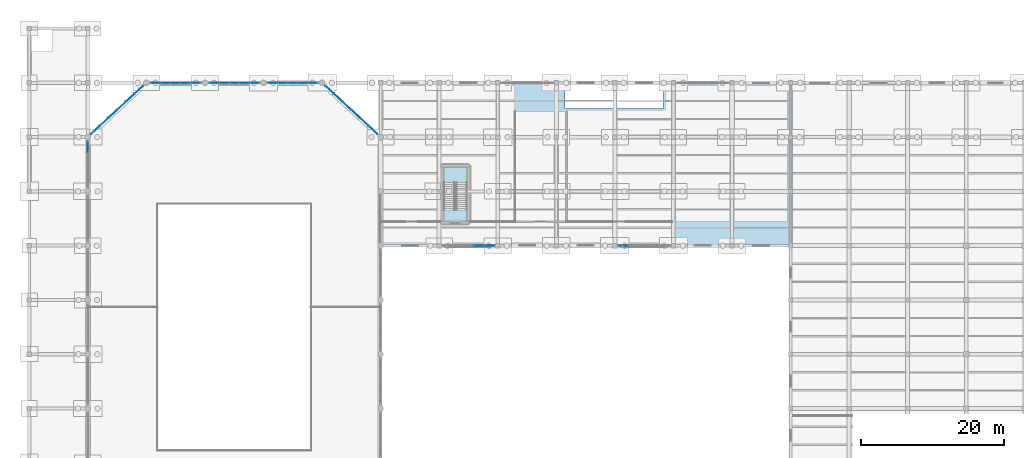
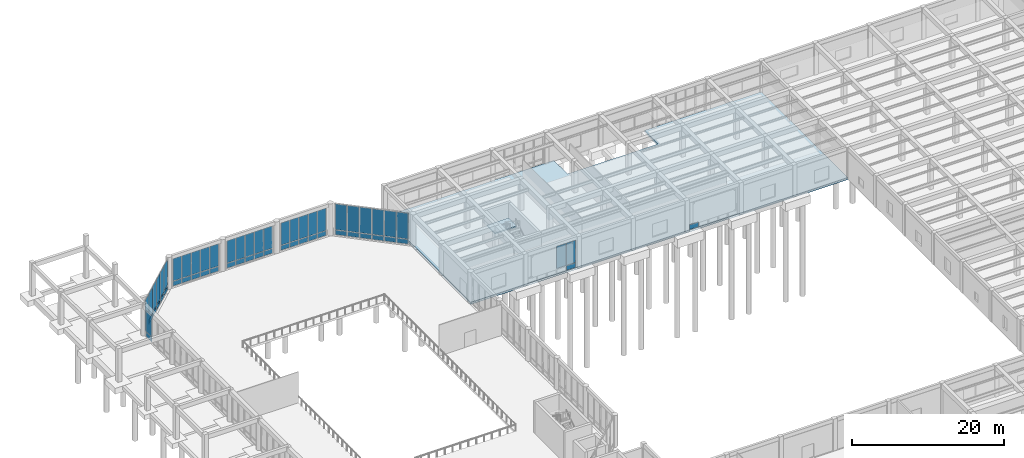
# One storey, part 39 of 64: 60 plates, 2 slabs, 9 elements without a shape of their own.
"""IFC4 building model written with IfcOpenShell, lengths in metres."""

from ifc_helpers import new_model, si_unit, direction, frame, origin, origin_2d, place, context, subcontext, project, spatial, polyline, rectangle, outline, extrude, material, layer, layer_set, type_object, element, aggregate, save


model = new_model("IFC4")

# Units and contexts
model_context = context("Model", 3, precision=1e-05, world=origin(), true_north=direction((0.0, 1.0)))
body_context = subcontext(model_context, "Body", "Model", "MODEL_VIEW")
ifc_project = project(units=[si_unit("LENGTHUNIT", "METRE"), si_unit("AREAUNIT", "SQUARE_METRE"), si_unit("VOLUMEUNIT", "CUBIC_METRE"), si_unit("PLANEANGLEUNIT", "RADIAN"), si_unit("MASSUNIT", "GRAM", prefix="KILO")], contexts=[model_context])

# Site, building, storey
site_placement = place(None, origin())
site = spatial("IfcSite", under=ifc_project, at=site_placement, CompositionType="ELEMENT")
building_placement = place(site_placement, origin())
building = spatial("IfcBuilding", under=site, at=building_placement, Name="Qandaris Square Conservatory and Botanical Centre", CompositionType="ELEMENT")
storey_placement = place(building_placement, origin())
storey = spatial("IfcBuildingStorey", under=building, at=storey_placement, Name="L00", CompositionType="ELEMENT", Elevation=0.0)

# Curtain wall, plates
ifc_material_1 = material(Name="Anodised Aluminium", Category="aluminium")
curtain_wall_type_1 = type_object("IfcCurtainWallType", Name="Unitised Curtain Wall CW-1-1002x510", PredefinedType="USERDEFINED", material=ifc_material_1)
curtain_wall_1_placement = place(storey_placement, origin())
curtain_wall_1 = element("IfcCurtainWall", 1, at=curtain_wall_1_placement, inside=storey, type_object=curtain_wall_type_1, Name="Curtain Wall CW-CON-L00-4-1", ObjectType="GLAZED CURTAIN WALL", PredefinedType="USERDEFINED")
ifc_material_2 = material(Name="Tempered Low-E Glass", Category="glass")
ifc_layer_1 = layer(ifc_material_2, 0.0400390625)
ifc_layer_set_1 = layer_set([ifc_layer_1], Name="Tempered Low-E Glass")
plate_type_1 = type_object("IfcPlateType", Name="Conservatory Laminated Low-Iron Biome Glass 40mm", PredefinedType="CURTAIN_PANEL", material=ifc_layer_set_1)
plate_1_placement = place(storey_placement, frame((56.1484375, 108.774658203125, 0.0751953125), z_axis=(0.0, 0.0, 1.0), x_axis=(-0.733432966404, 0.679761784592, 0.0)))
plate_1 = element("IfcPlate", 2, at=plate_1_placement, type_object=plate_type_1, Name="CW-1-1002x510 panel 1.1", PredefinedType="CURTAIN_PANEL", context=body_context, shape_type="SweptSolid", body=[
    extrude(rectangle(XDim=1.5576171875, YDim=0.0400390625, at=origin_2d()), origin(), (0.0, 0.0, 1.0), 0.737548828125),
])
plate_2_placement = place(storey_placement, frame((56.1484375, 108.774658203125, 0.8876953125), z_axis=(0.0, 0.0, 1.0), x_axis=(-0.733432966404, 0.679761784592, 0.0)))
plate_2 = element("IfcPlate", 3, at=plate_2_placement, type_object=plate_type_1, Name="CW-1-1002x510 panel 1.2", PredefinedType="CURTAIN_PANEL", context=body_context, shape_type="SweptSolid", body=[
    extrude(rectangle(XDim=1.5576171875, YDim=0.0400390625, at=origin_2d()), origin(), (0.0, 0.0, 1.0), 4.137451171875),
])
plate_3_placement = place(storey_placement, frame((54.937255859375, 109.897216796875, 0.0751953125), z_axis=(0.0, 0.0, 1.0), x_axis=(-0.733432966404, 0.679761784592, 0.0)))
plate_3 = element("IfcPlate", 4, at=plate_3_placement, type_object=plate_type_1, Name="CW-1-1002x510 panel 2.1", PredefinedType="CURTAIN_PANEL", context=body_context, shape_type="SweptSolid", body=[
    extrude(rectangle(XDim=1.594970703125, YDim=0.0400390625, at=origin_2d()), origin(), (0.0, 0.0, 1.0), 0.737548828125),
])
plate_4_placement = place(storey_placement, frame((54.937255859375, 109.897216796875, 0.8876953125), z_axis=(0.0, 0.0, 1.0), x_axis=(-0.733432966404, 0.679761784592, 0.0)))
plate_4 = element("IfcPlate", 5, at=plate_4_placement, type_object=plate_type_1, Name="CW-1-1002x510 panel 2.2", PredefinedType="CURTAIN_PANEL", context=body_context, shape_type="SweptSolid", body=[
    extrude(rectangle(XDim=1.594970703125, YDim=0.0400390625, at=origin_2d()), origin(), (0.0, 0.0, 1.0), 4.137451171875),
])
plate_5_placement = place(storey_placement, frame((53.71240234375, 111.032470703125, 0.0751953125), z_axis=(0.0, 0.0, 1.0), x_axis=(-0.733432966404, 0.679761784592, 0.0)))
plate_5 = element("IfcPlate", 6, at=plate_5_placement, type_object=plate_type_1, Name="CW-1-1002x510 panel 3.1", PredefinedType="CURTAIN_PANEL", context=body_context, shape_type="SweptSolid", body=[
    extrude(rectangle(XDim=1.594970703125, YDim=0.0400390625, at=origin_2d()), origin(), (0.0, 0.0, 1.0), 0.737548828125),
])
plate_6_placement = place(storey_placement, frame((53.71240234375, 111.032470703125, 0.8876953125), z_axis=(0.0, 0.0, 1.0), x_axis=(-0.733432966404, 0.679761784592, 0.0)))
plate_6 = element("IfcPlate", 7, at=plate_6_placement, type_object=plate_type_1, Name="CW-1-1002x510 panel 3.2", PredefinedType="CURTAIN_PANEL", context=body_context, shape_type="SweptSolid", body=[
    extrude(rectangle(XDim=1.594970703125, YDim=0.0400390625, at=origin_2d()), origin(), (0.0, 0.0, 1.0), 4.137451171875),
])
plate_7_placement = place(storey_placement, frame((52.487548828125, 112.167724609375, 0.0751953125), z_axis=(0.0, 0.0, 1.0), x_axis=(-0.733432966404, 0.679761784592, 0.0)))
plate_7 = element("IfcPlate", 8, at=plate_7_placement, type_object=plate_type_1, Name="CW-1-1002x510 panel 4.1", PredefinedType="CURTAIN_PANEL", context=body_context, shape_type="SweptSolid", body=[
    extrude(rectangle(XDim=1.594970703125, YDim=0.0400390625, at=origin_2d()), origin(), (0.0, 0.0, 1.0), 0.737548828125),
])
plate_8_placement = place(storey_placement, frame((52.487548828125, 112.167724609375, 0.8876953125), z_axis=(0.0, 0.0, 1.0), x_axis=(-0.733432966404, 0.679761784592, 0.0)))
plate_8 = element("IfcPlate", 9, at=plate_8_placement, type_object=plate_type_1, Name="CW-1-1002x510 panel 4.2", PredefinedType="CURTAIN_PANEL", context=body_context, shape_type="SweptSolid", body=[
    extrude(rectangle(XDim=1.594970703125, YDim=0.0400390625, at=origin_2d()), origin(), (0.0, 0.0, 1.0), 4.137451171875),
])
plate_9_placement = place(storey_placement, frame((51.2626953125, 113.302734375, 0.0751953125), z_axis=(0.0, 0.0, 1.0), x_axis=(-0.733432966404, 0.679761784592, 0.0)))
plate_9 = element("IfcPlate", 10, at=plate_9_placement, type_object=plate_type_1, Name="CW-1-1002x510 panel 5.1", PredefinedType="CURTAIN_PANEL", context=body_context, shape_type="SweptSolid", body=[
    extrude(rectangle(XDim=1.594970703125, YDim=0.0400390625, at=origin_2d()), origin(), (0.0, 0.0, 1.0), 0.737548828125),
])
plate_10_placement = place(storey_placement, frame((51.2626953125, 113.302734375, 0.8876953125), z_axis=(0.0, 0.0, 1.0), x_axis=(-0.733432966404, 0.679761784592, 0.0)))
plate_10 = element("IfcPlate", 11, at=plate_10_placement, type_object=plate_type_1, Name="CW-1-1002x510 panel 5.2", PredefinedType="CURTAIN_PANEL", context=body_context, shape_type="SweptSolid", body=[
    extrude(rectangle(XDim=1.594970703125, YDim=0.0400390625, at=origin_2d()), origin(), (0.0, 0.0, 1.0), 4.137451171875),
])
plate_11_placement = place(storey_placement, frame((50.051513671875, 114.42529296875, 0.0751953125), z_axis=(0.0, 0.0, 1.0), x_axis=(-0.733432966404, 0.679761784592, 0.0)))
plate_11 = element("IfcPlate", 12, at=plate_11_placement, type_object=plate_type_1, Name="CW-1-1002x510 panel 6.1", PredefinedType="CURTAIN_PANEL", context=body_context, shape_type="SweptSolid", body=[
    extrude(rectangle(XDim=1.5576171875, YDim=0.0400390625, at=origin_2d()), origin(), (0.0, 0.0, 1.0), 0.737548828125),
])
plate_12_placement = place(storey_placement, frame((50.051513671875, 114.42529296875, 0.8876953125), z_axis=(0.0, 0.0, 1.0), x_axis=(-0.733432966404, 0.679761784592, 0.0)))
plate_12 = element("IfcPlate", 13, at=plate_12_placement, type_object=plate_type_1, Name="CW-1-1002x510 panel 6.2", PredefinedType="CURTAIN_PANEL", context=body_context, shape_type="SweptSolid", body=[
    extrude(rectangle(XDim=1.5576171875, YDim=0.0400390625, at=origin_2d()), origin(), (0.0, 0.0, 1.0), 4.137451171875),
])
aggregate(curtain_wall_1, [plate_1, plate_2, plate_3, plate_4, plate_5, plate_6, plate_7, plate_8, plate_9, plate_10, plate_11, plate_12])

curtain_wall_type_2 = type_object("IfcCurtainWallType", Name="Unitised Curtain Wall CW-1-704x454", PredefinedType="USERDEFINED", material=ifc_material_1)
curtain_wall_2_placement = place(storey_placement, origin())
curtain_wall_2 = element("IfcCurtainWall", 14, at=curtain_wall_2_placement, inside=storey, type_object=curtain_wall_type_2, Name="Curtain Wall CW-CON-L00-5-1", ObjectType="GLAZED CURTAIN WALL", PredefinedType="USERDEFINED")
plate_13_placement = place(storey_placement, frame((47.697265625, 115.39990234375, 0.0751953125), z_axis=(0.0, 0.0, 1.0), x_axis=(-1.0, 0.0, 0.0)))
plate_13 = element("IfcPlate", 15, at=plate_13_placement, type_object=plate_type_1, Name="CW-1-704x454 panel 1.1", PredefinedType="CURTAIN_PANEL", context=body_context, shape_type="SweptSolid", body=[
    extrude(rectangle(XDim=1.29541015625, YDim=0.0400390625, at=origin_2d()), origin(), (0.0, 0.0, 1.0), 0.737548828125),
])
plate_14_placement = place(storey_placement, frame((47.697265625, 115.39990234375, 0.887451171875), z_axis=(0.0, 0.0, 1.0), x_axis=(-1.0, 0.0, 0.0)))
plate_14 = element("IfcPlate", 16, at=plate_14_placement, type_object=plate_type_1, Name="CW-1-704x454 panel 1.2", PredefinedType="CURTAIN_PANEL", context=body_context, shape_type="SweptSolid", body=[
    extrude(rectangle(XDim=1.29541015625, YDim=0.0400390625, at=origin_2d()), origin(), (0.0, 0.0, 1.0), 3.58251953125),
])
plate_15_placement = place(storey_placement, frame((46.30810546875, 115.39990234375, 0.0751953125), z_axis=(0.0, 0.0, 1.0), x_axis=(-1.0, 0.0, 0.0)))
plate_15 = element("IfcPlate", 17, at=plate_15_placement, type_object=plate_type_1, Name="CW-1-704x454 panel 2.1", PredefinedType="CURTAIN_PANEL", context=body_context, shape_type="SweptSolid", body=[
    extrude(rectangle(XDim=1.3330078125, YDim=0.0400390625, at=origin_2d()), origin(), (0.0, 0.0, 1.0), 0.737548828125),
])
plate_16_placement = place(storey_placement, frame((46.30810546875, 115.39990234375, 0.887451171875), z_axis=(0.0, 0.0, 1.0), x_axis=(-1.0, 0.0, 0.0)))
plate_16 = element("IfcPlate", 18, at=plate_16_placement, type_object=plate_type_1, Name="CW-1-704x454 panel 2.2", PredefinedType="CURTAIN_PANEL", context=body_context, shape_type="SweptSolid", body=[
    extrude(rectangle(XDim=1.3330078125, YDim=0.0400390625, at=origin_2d()), origin(), (0.0, 0.0, 1.0), 3.58251953125),
])
plate_17_placement = place(storey_placement, frame((44.89990234375, 115.39990234375, 0.0751953125), z_axis=(0.0, 0.0, 1.0), x_axis=(-1.0, 0.0, 0.0)))
plate_17 = element("IfcPlate", 19, at=plate_17_placement, type_object=plate_type_1, Name="CW-1-704x454 panel 3.1", PredefinedType="CURTAIN_PANEL", context=body_context, shape_type="SweptSolid", body=[
    extrude(rectangle(XDim=1.3330078125, YDim=0.0400390625, at=origin_2d()), origin(), (0.0, 0.0, 1.0), 0.737548828125),
])
plate_18_placement = place(storey_placement, frame((44.89990234375, 115.39990234375, 0.887451171875), z_axis=(0.0, 0.0, 1.0), x_axis=(-1.0, 0.0, 0.0)))
plate_18 = element("IfcPlate", 20, at=plate_18_placement, type_object=plate_type_1, Name="CW-1-704x454 panel 3.2", PredefinedType="CURTAIN_PANEL", context=body_context, shape_type="SweptSolid", body=[
    extrude(rectangle(XDim=1.3330078125, YDim=0.0400390625, at=origin_2d()), origin(), (0.0, 0.0, 1.0), 3.58251953125),
])
plate_19_placement = place(storey_placement, frame((43.491943359375, 115.39990234375, 0.0751953125), z_axis=(0.0, 0.0, 1.0), x_axis=(-1.0, 0.0, 0.0)))
plate_19 = element("IfcPlate", 21, at=plate_19_placement, type_object=plate_type_1, Name="CW-1-704x454 panel 4.1", PredefinedType="CURTAIN_PANEL", context=body_context, shape_type="SweptSolid", body=[
    extrude(rectangle(XDim=1.3330078125, YDim=0.0400390625, at=origin_2d()), origin(), (0.0, 0.0, 1.0), 0.737548828125),
])
plate_20_placement = place(storey_placement, frame((43.491943359375, 115.39990234375, 0.887451171875), z_axis=(0.0, 0.0, 1.0), x_axis=(-1.0, 0.0, 0.0)))
plate_20 = element("IfcPlate", 22, at=plate_20_placement, type_object=plate_type_1, Name="CW-1-704x454 panel 4.2", PredefinedType="CURTAIN_PANEL", context=body_context, shape_type="SweptSolid", body=[
    extrude(rectangle(XDim=1.3330078125, YDim=0.0400390625, at=origin_2d()), origin(), (0.0, 0.0, 1.0), 3.58251953125),
])
plate_21_placement = place(storey_placement, frame((42.102783203125, 115.39990234375, 0.0751953125), z_axis=(0.0, 0.0, 1.0), x_axis=(-1.0, 0.0, 0.0)))
plate_21 = element("IfcPlate", 23, at=plate_21_placement, type_object=plate_type_1, Name="CW-1-704x454 panel 5.1", PredefinedType="CURTAIN_PANEL", context=body_context, shape_type="SweptSolid", body=[
    extrude(rectangle(XDim=1.29541015625, YDim=0.0400390625, at=origin_2d()), origin(), (0.0, 0.0, 1.0), 0.737548828125),
])
plate_22_placement = place(storey_placement, frame((42.102783203125, 115.39990234375, 0.887451171875), z_axis=(0.0, 0.0, 1.0), x_axis=(-1.0, 0.0, 0.0)))
plate_22 = element("IfcPlate", 24, at=plate_22_placement, type_object=plate_type_1, Name="CW-1-704x454 panel 5.2", PredefinedType="CURTAIN_PANEL", context=body_context, shape_type="SweptSolid", body=[
    extrude(rectangle(XDim=1.29541015625, YDim=0.0400390625, at=origin_2d()), origin(), (0.0, 0.0, 1.0), 3.58251953125),
])
aggregate(curtain_wall_2, [plate_13, plate_14, plate_15, plate_16, plate_17, plate_18, plate_19, plate_20, plate_21, plate_22])

curtain_wall_3_placement = place(storey_placement, origin())
curtain_wall_3 = element("IfcCurtainWall", 25, at=curtain_wall_3_placement, inside=storey, type_object=curtain_wall_type_2, Name="Curtain Wall CW-CON-L00-5-2", ObjectType="GLAZED CURTAIN WALL", PredefinedType="USERDEFINED")
plate_23_placement = place(storey_placement, frame((39.497314453125, 115.39990234375, 0.0751953125), z_axis=(0.0, 0.0, 1.0), x_axis=(-1.0, 0.0, 0.0)))
plate_23 = element("IfcPlate", 26, at=plate_23_placement, type_object=plate_type_1, Name="CW-1-704x454 panel 1.1", PredefinedType="CURTAIN_PANEL", context=body_context, shape_type="SweptSolid", body=[
    extrude(rectangle(XDim=1.29541015625, YDim=0.0400390625, at=origin_2d()), origin(), (0.0, 0.0, 1.0), 0.737548828125),
])
plate_24_placement = place(storey_placement, frame((39.497314453125, 115.39990234375, 0.887451171875), z_axis=(0.0, 0.0, 1.0), x_axis=(-1.0, 0.0, 0.0)))
plate_24 = element("IfcPlate", 27, at=plate_24_placement, type_object=plate_type_1, Name="CW-1-704x454 panel 1.2", PredefinedType="CURTAIN_PANEL", context=body_context, shape_type="SweptSolid", body=[
    extrude(rectangle(XDim=1.29541015625, YDim=0.0400390625, at=origin_2d()), origin(), (0.0, 0.0, 1.0), 3.58251953125),
])
plate_25_placement = place(storey_placement, frame((38.10791015625, 115.39990234375, 0.0751953125), z_axis=(0.0, 0.0, 1.0), x_axis=(-1.0, 0.0, 0.0)))
plate_25 = element("IfcPlate", 28, at=plate_25_placement, type_object=plate_type_1, Name="CW-1-704x454 panel 2.1", PredefinedType="CURTAIN_PANEL", context=body_context, shape_type="SweptSolid", body=[
    extrude(rectangle(XDim=1.3330078125, YDim=0.0400390625, at=origin_2d()), origin(), (0.0, 0.0, 1.0), 0.737548828125),
])
plate_26_placement = place(storey_placement, frame((38.10791015625, 115.39990234375, 0.887451171875), z_axis=(0.0, 0.0, 1.0), x_axis=(-1.0, 0.0, 0.0)))
plate_26 = element("IfcPlate", 29, at=plate_26_placement, type_object=plate_type_1, Name="CW-1-704x454 panel 2.2", PredefinedType="CURTAIN_PANEL", context=body_context, shape_type="SweptSolid", body=[
    extrude(rectangle(XDim=1.3330078125, YDim=0.0400390625, at=origin_2d()), origin(), (0.0, 0.0, 1.0), 3.58251953125),
])
plate_27_placement = place(storey_placement, frame((36.699951171875, 115.39990234375, 0.0751953125), z_axis=(0.0, 0.0, 1.0), x_axis=(-1.0, 0.0, 0.0)))
plate_27 = element("IfcPlate", 30, at=plate_27_placement, type_object=plate_type_1, Name="CW-1-704x454 panel 3.1", PredefinedType="CURTAIN_PANEL", context=body_context, shape_type="SweptSolid", body=[
    extrude(rectangle(XDim=1.3330078125, YDim=0.0400390625, at=origin_2d()), origin(), (0.0, 0.0, 1.0), 0.737548828125),
])
plate_28_placement = place(storey_placement, frame((36.699951171875, 115.39990234375, 0.887451171875), z_axis=(0.0, 0.0, 1.0), x_axis=(-1.0, 0.0, 0.0)))
plate_28 = element("IfcPlate", 31, at=plate_28_placement, type_object=plate_type_1, Name="CW-1-704x454 panel 3.2", PredefinedType="CURTAIN_PANEL", context=body_context, shape_type="SweptSolid", body=[
    extrude(rectangle(XDim=1.3330078125, YDim=0.0400390625, at=origin_2d()), origin(), (0.0, 0.0, 1.0), 3.58251953125),
])
plate_29_placement = place(storey_placement, frame((35.2919921875, 115.39990234375, 0.0751953125), z_axis=(0.0, 0.0, 1.0), x_axis=(-1.0, 0.0, 0.0)))
plate_29 = element("IfcPlate", 32, at=plate_29_placement, type_object=plate_type_1, Name="CW-1-704x454 panel 4.1", PredefinedType="CURTAIN_PANEL", context=body_context, shape_type="SweptSolid", body=[
    extrude(rectangle(XDim=1.3330078125, YDim=0.0400390625, at=origin_2d()), origin(), (0.0, 0.0, 1.0), 0.737548828125),
])
plate_30_placement = place(storey_placement, frame((35.2919921875, 115.39990234375, 0.887451171875), z_axis=(0.0, 0.0, 1.0), x_axis=(-1.0, 0.0, 0.0)))
plate_30 = element("IfcPlate", 33, at=plate_30_placement, type_object=plate_type_1, Name="CW-1-704x454 panel 4.2", PredefinedType="CURTAIN_PANEL", context=body_context, shape_type="SweptSolid", body=[
    extrude(rectangle(XDim=1.3330078125, YDim=0.0400390625, at=origin_2d()), origin(), (0.0, 0.0, 1.0), 3.58251953125),
])
plate_31_placement = place(storey_placement, frame((33.90283203125, 115.39990234375, 0.0751953125), z_axis=(0.0, 0.0, 1.0), x_axis=(-1.0, 0.0, 0.0)))
plate_31 = element("IfcPlate", 34, at=plate_31_placement, type_object=plate_type_1, Name="CW-1-704x454 panel 5.1", PredefinedType="CURTAIN_PANEL", context=body_context, shape_type="SweptSolid", body=[
    extrude(rectangle(XDim=1.29541015625, YDim=0.0400390625, at=origin_2d()), origin(), (0.0, 0.0, 1.0), 0.737548828125),
])
plate_32_placement = place(storey_placement, frame((33.90283203125, 115.39990234375, 0.887451171875), z_axis=(0.0, 0.0, 1.0), x_axis=(-1.0, 0.0, 0.0)))
plate_32 = element("IfcPlate", 35, at=plate_32_placement, type_object=plate_type_1, Name="CW-1-704x454 panel 5.2", PredefinedType="CURTAIN_PANEL", context=body_context, shape_type="SweptSolid", body=[
    extrude(rectangle(XDim=1.29541015625, YDim=0.0400390625, at=origin_2d()), origin(), (0.0, 0.0, 1.0), 3.58251953125),
])
aggregate(curtain_wall_3, [plate_23, plate_24, plate_25, plate_26, plate_27, plate_28, plate_29, plate_30, plate_31, plate_32])

curtain_wall_4_placement = place(storey_placement, origin())
curtain_wall_4 = element("IfcCurtainWall", 36, at=curtain_wall_4_placement, inside=storey, type_object=curtain_wall_type_2, Name="Curtain Wall CW-CON-L00-5-3", ObjectType="GLAZED CURTAIN WALL", PredefinedType="USERDEFINED")
plate_33_placement = place(storey_placement, frame((31.29736328125, 115.39990234375, 0.0751953125), z_axis=(0.0, 0.0, 1.0), x_axis=(-1.0, 0.0, 0.0)))
plate_33 = element("IfcPlate", 37, at=plate_33_placement, type_object=plate_type_1, Name="CW-1-704x454 panel 1.1", PredefinedType="CURTAIN_PANEL", context=body_context, shape_type="SweptSolid", body=[
    extrude(rectangle(XDim=1.29541015625, YDim=0.0400390625, at=origin_2d()), origin(), (0.0, 0.0, 1.0), 0.737548828125),
])
plate_34_placement = place(storey_placement, frame((31.29736328125, 115.39990234375, 0.887451171875), z_axis=(0.0, 0.0, 1.0), x_axis=(-1.0, 0.0, 0.0)))
plate_34 = element("IfcPlate", 38, at=plate_34_placement, type_object=plate_type_1, Name="CW-1-704x454 panel 1.2", PredefinedType="CURTAIN_PANEL", context=body_context, shape_type="SweptSolid", body=[
    extrude(rectangle(XDim=1.29541015625, YDim=0.0400390625, at=origin_2d()), origin(), (0.0, 0.0, 1.0), 3.58251953125),
])
plate_35_placement = place(storey_placement, frame((29.907958984375, 115.39990234375, 0.0751953125), z_axis=(0.0, 0.0, 1.0), x_axis=(-1.0, 0.0, 0.0)))
plate_35 = element("IfcPlate", 39, at=plate_35_placement, type_object=plate_type_1, Name="CW-1-704x454 panel 2.1", PredefinedType="CURTAIN_PANEL", context=body_context, shape_type="SweptSolid", body=[
    extrude(rectangle(XDim=1.3330078125, YDim=0.0400390625, at=origin_2d()), origin(), (0.0, 0.0, 1.0), 0.737548828125),
])
plate_36_placement = place(storey_placement, frame((29.907958984375, 115.39990234375, 0.887451171875), z_axis=(0.0, 0.0, 1.0), x_axis=(-1.0, 0.0, 0.0)))
plate_36 = element("IfcPlate", 40, at=plate_36_placement, type_object=plate_type_1, Name="CW-1-704x454 panel 2.2", PredefinedType="CURTAIN_PANEL", context=body_context, shape_type="SweptSolid", body=[
    extrude(rectangle(XDim=1.3330078125, YDim=0.0400390625, at=origin_2d()), origin(), (0.0, 0.0, 1.0), 3.58251953125),
])
plate_37_placement = place(storey_placement, frame((28.5, 115.39990234375, 0.0751953125), z_axis=(0.0, 0.0, 1.0), x_axis=(-1.0, 0.0, 0.0)))
plate_37 = element("IfcPlate", 41, at=plate_37_placement, type_object=plate_type_1, Name="CW-1-704x454 panel 3.1", PredefinedType="CURTAIN_PANEL", context=body_context, shape_type="SweptSolid", body=[
    extrude(rectangle(XDim=1.3330078125, YDim=0.0400390625, at=origin_2d()), origin(), (0.0, 0.0, 1.0), 0.737548828125),
])
plate_38_placement = place(storey_placement, frame((28.5, 115.39990234375, 0.887451171875), z_axis=(0.0, 0.0, 1.0), x_axis=(-1.0, 0.0, 0.0)))
plate_38 = element("IfcPlate", 42, at=plate_38_placement, type_object=plate_type_1, Name="CW-1-704x454 panel 3.2", PredefinedType="CURTAIN_PANEL", context=body_context, shape_type="SweptSolid", body=[
    extrude(rectangle(XDim=1.3330078125, YDim=0.0400390625, at=origin_2d()), origin(), (0.0, 0.0, 1.0), 3.58251953125),
])
plate_39_placement = place(storey_placement, frame((27.092041015625, 115.39990234375, 0.0751953125), z_axis=(0.0, 0.0, 1.0), x_axis=(-1.0, 0.0, 0.0)))
plate_39 = element("IfcPlate", 43, at=plate_39_placement, type_object=plate_type_1, Name="CW-1-704x454 panel 4.1", PredefinedType="CURTAIN_PANEL", context=body_context, shape_type="SweptSolid", body=[
    extrude(rectangle(XDim=1.3330078125, YDim=0.0400390625, at=origin_2d()), origin(), (0.0, 0.0, 1.0), 0.737548828125),
])
plate_40_placement = place(storey_placement, frame((27.092041015625, 115.39990234375, 0.887451171875), z_axis=(0.0, 0.0, 1.0), x_axis=(-1.0, 0.0, 0.0)))
plate_40 = element("IfcPlate", 44, at=plate_40_placement, type_object=plate_type_1, Name="CW-1-704x454 panel 4.2", PredefinedType="CURTAIN_PANEL", context=body_context, shape_type="SweptSolid", body=[
    extrude(rectangle(XDim=1.3330078125, YDim=0.0400390625, at=origin_2d()), origin(), (0.0, 0.0, 1.0), 3.58251953125),
])
plate_41_placement = place(storey_placement, frame((25.70263671875, 115.39990234375, 0.0751953125), z_axis=(0.0, 0.0, 1.0), x_axis=(-1.0, 0.0, 0.0)))
plate_41 = element("IfcPlate", 45, at=plate_41_placement, type_object=plate_type_1, Name="CW-1-704x454 panel 5.1", PredefinedType="CURTAIN_PANEL", context=body_context, shape_type="SweptSolid", body=[
    extrude(rectangle(XDim=1.29541015625, YDim=0.0400390625, at=origin_2d()), origin(), (0.0, 0.0, 1.0), 0.737548828125),
])
plate_42_placement = place(storey_placement, frame((25.70263671875, 115.39990234375, 0.887451171875), z_axis=(0.0, 0.0, 1.0), x_axis=(-1.0, 0.0, 0.0)))
plate_42 = element("IfcPlate", 46, at=plate_42_placement, type_object=plate_type_1, Name="CW-1-704x454 panel 5.2", PredefinedType="CURTAIN_PANEL", context=body_context, shape_type="SweptSolid", body=[
    extrude(rectangle(XDim=1.29541015625, YDim=0.0400390625, at=origin_2d()), origin(), (0.0, 0.0, 1.0), 3.58251953125),
])
aggregate(curtain_wall_4, [plate_33, plate_34, plate_35, plate_36, plate_37, plate_38, plate_39, plate_40, plate_41, plate_42])

curtain_wall_5_placement = place(storey_placement, origin())
curtain_wall_5 = element("IfcCurtainWall", 47, at=curtain_wall_5_placement, inside=storey, type_object=curtain_wall_type_1, Name="Curtain Wall CW-CON-L00-6-1", ObjectType="GLAZED CURTAIN WALL", PredefinedType="USERDEFINED")
plate_43_placement = place(storey_placement, frame((23.348388671875, 114.42529296875, 0.0751953125), z_axis=(0.0, 0.0, 1.0), x_axis=(-0.733432966404, -0.679761784592, 0.0)))
plate_43 = element("IfcPlate", 48, at=plate_43_placement, type_object=plate_type_1, Name="CW-1-1002x510 panel 1.1", PredefinedType="CURTAIN_PANEL", context=body_context, shape_type="SweptSolid", body=[
    extrude(rectangle(XDim=1.5576171875, YDim=0.0400390625, at=origin_2d()), origin(), (0.0, 0.0, 1.0), 0.737548828125),
])
plate_44_placement = place(storey_placement, frame((23.348388671875, 114.42529296875, 0.8876953125), z_axis=(0.0, 0.0, 1.0), x_axis=(-0.733432966404, -0.679761784592, 0.0)))
plate_44 = element("IfcPlate", 49, at=plate_44_placement, type_object=plate_type_1, Name="CW-1-1002x510 panel 1.2", PredefinedType="CURTAIN_PANEL", context=body_context, shape_type="SweptSolid", body=[
    extrude(rectangle(XDim=1.5576171875, YDim=0.0400390625, at=origin_2d()), origin(), (0.0, 0.0, 1.0), 4.137451171875),
])
plate_45_placement = place(storey_placement, frame((22.13720703125, 113.302734375, 0.0751953125), z_axis=(0.0, 0.0, 1.0), x_axis=(-0.733432966404, -0.679761784592, 0.0)))
plate_45 = element("IfcPlate", 50, at=plate_45_placement, type_object=plate_type_1, Name="CW-1-1002x510 panel 2.1", PredefinedType="CURTAIN_PANEL", context=body_context, shape_type="SweptSolid", body=[
    extrude(rectangle(XDim=1.594970703125, YDim=0.0400390625, at=origin_2d()), origin(), (0.0, 0.0, 1.0), 0.737548828125),
])
plate_46_placement = place(storey_placement, frame((22.13720703125, 113.302734375, 0.8876953125), z_axis=(0.0, 0.0, 1.0), x_axis=(-0.733432966404, -0.679761784592, 0.0)))
plate_46 = element("IfcPlate", 51, at=plate_46_placement, type_object=plate_type_1, Name="CW-1-1002x510 panel 2.2", PredefinedType="CURTAIN_PANEL", context=body_context, shape_type="SweptSolid", body=[
    extrude(rectangle(XDim=1.594970703125, YDim=0.0400390625, at=origin_2d()), origin(), (0.0, 0.0, 1.0), 4.137451171875),
])
plate_47_placement = place(storey_placement, frame((20.912353515625, 112.167724609375, 0.0751953125), z_axis=(0.0, 0.0, 1.0), x_axis=(-0.733432966404, -0.679761784592, 0.0)))
plate_47 = element("IfcPlate", 52, at=plate_47_placement, type_object=plate_type_1, Name="CW-1-1002x510 panel 3.1", PredefinedType="CURTAIN_PANEL", context=body_context, shape_type="SweptSolid", body=[
    extrude(rectangle(XDim=1.594970703125, YDim=0.0400390625, at=origin_2d()), origin(), (0.0, 0.0, 1.0), 0.737548828125),
])
plate_48_placement = place(storey_placement, frame((20.912353515625, 112.167724609375, 0.8876953125), z_axis=(0.0, 0.0, 1.0), x_axis=(-0.733432966404, -0.679761784592, 0.0)))
plate_48 = element("IfcPlate", 53, at=plate_48_placement, type_object=plate_type_1, Name="CW-1-1002x510 panel 3.2", PredefinedType="CURTAIN_PANEL", context=body_context, shape_type="SweptSolid", body=[
    extrude(rectangle(XDim=1.594970703125, YDim=0.0400390625, at=origin_2d()), origin(), (0.0, 0.0, 1.0), 4.137451171875),
])
plate_49_placement = place(storey_placement, frame((19.6875, 111.032470703125, 0.0751953125), z_axis=(0.0, 0.0, 1.0), x_axis=(-0.733432966404, -0.679761784592, 0.0)))
plate_49 = element("IfcPlate", 54, at=plate_49_placement, type_object=plate_type_1, Name="CW-1-1002x510 panel 4.1", PredefinedType="CURTAIN_PANEL", context=body_context, shape_type="SweptSolid", body=[
    extrude(rectangle(XDim=1.594970703125, YDim=0.0400390625, at=origin_2d()), origin(), (0.0, 0.0, 1.0), 0.737548828125),
])
plate_50_placement = place(storey_placement, frame((19.6875, 111.032470703125, 0.8876953125), z_axis=(0.0, 0.0, 1.0), x_axis=(-0.733432966404, -0.679761784592, 0.0)))
plate_50 = element("IfcPlate", 55, at=plate_50_placement, type_object=plate_type_1, Name="CW-1-1002x510 panel 4.2", PredefinedType="CURTAIN_PANEL", context=body_context, shape_type="SweptSolid", body=[
    extrude(rectangle(XDim=1.594970703125, YDim=0.0400390625, at=origin_2d()), origin(), (0.0, 0.0, 1.0), 4.137451171875),
])
plate_51_placement = place(storey_placement, frame((18.462646484375, 109.897216796875, 0.0751953125), z_axis=(0.0, 0.0, 1.0), x_axis=(-0.733432966404, -0.679761784592, 0.0)))
plate_51 = element("IfcPlate", 56, at=plate_51_placement, type_object=plate_type_1, Name="CW-1-1002x510 panel 5.1", PredefinedType="CURTAIN_PANEL", context=body_context, shape_type="SweptSolid", body=[
    extrude(rectangle(XDim=1.594970703125, YDim=0.0400390625, at=origin_2d()), origin(), (0.0, 0.0, 1.0), 0.737548828125),
])
plate_52_placement = place(storey_placement, frame((18.462646484375, 109.897216796875, 0.8876953125), z_axis=(0.0, 0.0, 1.0), x_axis=(-0.733432966404, -0.679761784592, 0.0)))
plate_52 = element("IfcPlate", 57, at=plate_52_placement, type_object=plate_type_1, Name="CW-1-1002x510 panel 5.2", PredefinedType="CURTAIN_PANEL", context=body_context, shape_type="SweptSolid", body=[
    extrude(rectangle(XDim=1.594970703125, YDim=0.0400390625, at=origin_2d()), origin(), (0.0, 0.0, 1.0), 4.137451171875),
])
plate_53_placement = place(storey_placement, frame((17.25146484375, 108.774658203125, 0.0751953125), z_axis=(0.0, 0.0, 1.0), x_axis=(-0.733432966404, -0.679761784592, 0.0)))
plate_53 = element("IfcPlate", 58, at=plate_53_placement, type_object=plate_type_1, Name="CW-1-1002x510 panel 6.1", PredefinedType="CURTAIN_PANEL", context=body_context, shape_type="SweptSolid", body=[
    extrude(rectangle(XDim=1.5576171875, YDim=0.0400390625, at=origin_2d()), origin(), (0.0, 0.0, 1.0), 0.737548828125),
])
plate_54_placement = place(storey_placement, frame((17.25146484375, 108.774658203125, 0.8876953125), z_axis=(0.0, 0.0, 1.0), x_axis=(-0.733432966404, -0.679761784592, 0.0)))
plate_54 = element("IfcPlate", 59, at=plate_54_placement, type_object=plate_type_1, Name="CW-1-1002x510 panel 6.2", PredefinedType="CURTAIN_PANEL", context=body_context, shape_type="SweptSolid", body=[
    extrude(rectangle(XDim=1.5576171875, YDim=0.0400390625, at=origin_2d()), origin(), (0.0, 0.0, 1.0), 4.137451171875),
])
aggregate(curtain_wall_5, [plate_43, plate_44, plate_45, plate_46, plate_47, plate_48, plate_49, plate_50, plate_51, plate_52, plate_53, plate_54])

curtain_wall_type_3 = type_object("IfcCurtainWallType", Name="Unitised Curtain Wall CW-1-644x435", PredefinedType="USERDEFINED", material=ifc_material_1)
curtain_wall_6_placement = place(storey_placement, origin())
curtain_wall_6 = element("IfcCurtainWall", 60, at=curtain_wall_6_placement, inside=storey, type_object=curtain_wall_type_3, Name="Curtain Wall CW-CON-L00-7-1", ObjectType="GLAZED CURTAIN WALL", PredefinedType="USERDEFINED")
plate_55_placement = place(storey_placement, frame((16.199951171875, 106.396240234375, 0.0751953125), z_axis=(0.0, 0.0, 1.0), x_axis=(0.0, -1.0, 0.0)))
plate_55 = element("IfcPlate", 61, at=plate_55_placement, type_object=plate_type_1, Name="CW-1-644x435 panel 1.1", PredefinedType="CURTAIN_PANEL", context=body_context, shape_type="SweptSolid", body=[
    extrude(rectangle(XDim=1.49755859375, YDim=0.0400390625, at=origin_2d()), origin(), (0.0, 0.0, 1.0), 0.737548828125),
])
plate_56_placement = place(storey_placement, frame((16.199951171875, 106.396240234375, 0.8876953125), z_axis=(0.0, 0.0, 1.0), x_axis=(0.0, -1.0, 0.0)))
plate_56 = element("IfcPlate", 62, at=plate_56_placement, type_object=plate_type_1, Name="CW-1-644x435 panel 1.2", PredefinedType="CURTAIN_PANEL", context=body_context, shape_type="SweptSolid", body=[
    extrude(rectangle(XDim=1.49755859375, YDim=0.0400390625, at=origin_2d()), origin(), (0.0, 0.0, 1.0), 3.387451171875),
])
aggregate(curtain_wall_6, [plate_55, plate_56])

curtain_wall_type_4 = type_object("IfcCurtainWallType", Name="Unitised Curtain Wall CW-5-740x450", PredefinedType="USERDEFINED", material=ifc_material_1)
curtain_wall_7_placement = place(storey_placement, origin())
curtain_wall_7 = element("IfcCurtainWall", 63, at=curtain_wall_7_placement, inside=storey, type_object=curtain_wall_type_4, Name="Curtain Wall CW-V3B-L00-1-2", ObjectType="GLAZED CURTAIN WALL", PredefinedType="USERDEFINED")
ifc_layer_2 = layer(ifc_material_2, 0.035888671875)
ifc_layer_set_2 = layer_set([ifc_layer_2], Name="Tempered Low-E Glass")
plate_type_2 = type_object("IfcPlateType", Name="Double-Glazed Solar Control Vision Unit 36mm", PredefinedType="CURTAIN_PANEL", material=ifc_layer_set_2)
plate_57_placement = place(storey_placement, frame((70.97998046875, 92.60009765625, 0.88232421875), z_axis=(0.0, 0.0, 1.0), x_axis=(1.0, 0.0, 0.0)))
plate_57 = element("IfcPlate", 64, at=plate_57_placement, type_object=plate_type_2, Name="CW-5-740x450 panel 4.2", PredefinedType="CURTAIN_PANEL", context=body_context, shape_type="SweptSolid", body=[
    extrude(rectangle(XDim=1.4150390625, YDim=0.035888671875, at=origin_2d()), origin(), (0.0, 0.0, 1.0), 3.552490234375),
])
plate_58_placement = place(storey_placement, frame((72.44384765625, 92.60009765625, 0.06494140625), z_axis=(0.0, 0.0, 1.0), x_axis=(1.0, 0.0, 0.0)))
plate_58 = element("IfcPlate", 65, at=plate_58_placement, type_object=plate_type_2, Name="CW-5-740x450 panel 5.1", PredefinedType="CURTAIN_PANEL", context=body_context, shape_type="SweptSolid", body=[
    extrude(rectangle(XDim=1.382568359375, YDim=0.035888671875, at=origin_2d()), origin(), (0.0, 0.0, 1.0), 0.75244140625),
])
plate_59_placement = place(storey_placement, frame((72.44384765625, 92.60009765625, 0.88232421875), z_axis=(0.0, 0.0, 1.0), x_axis=(1.0, 0.0, 0.0)))
plate_59 = element("IfcPlate", 66, at=plate_59_placement, type_object=plate_type_2, Name="CW-5-740x450 panel 5.2", PredefinedType="CURTAIN_PANEL", context=body_context, shape_type="SweptSolid", body=[
    extrude(rectangle(XDim=1.382568359375, YDim=0.035888671875, at=origin_2d()), origin(), (0.0, 0.0, 1.0), 3.552490234375),
])
aggregate(curtain_wall_7, [plate_57, plate_58, plate_59])

# Curtain wall, plate
curtain_wall_8_placement = place(storey_placement, origin())
curtain_wall_8 = element("IfcCurtainWall", 67, at=curtain_wall_8_placement, inside=storey, type_object=curtain_wall_type_4, Name="Curtain Wall CW-V3B-L00-1-5", ObjectType="GLAZED CURTAIN WALL", PredefinedType="USERDEFINED")
plate_60_placement = place(storey_placement, frame((91.15625, 92.60009765625, 0.06494140625), z_axis=(0.0, 0.0, 1.0), x_axis=(1.0, 0.0, 0.0)))
plate_60 = element("IfcPlate", 68, at=plate_60_placement, type_object=plate_type_2, Name="CW-5-740x450 panel 1.1", PredefinedType="CURTAIN_PANEL", context=body_context, shape_type="SweptSolid", body=[
    extrude(rectangle(XDim=1.382568359375, YDim=0.035888671875, at=origin_2d()), origin(), (0.0, 0.0, 1.0), 0.75244140625),
])
aggregate(curtain_wall_8, [plate_60])

# Stair, slab
ifc_material_3 = material(Name="Concrete C40/50", Category="concrete")
stair_type = type_object("IfcStairType", Name="Podium Grand Escape Stair 1550mm", PredefinedType="HALF_TURN_STAIR", material=ifc_material_3)
stair_placement = place(storey_placement, origin())
stair = element("IfcStair", 69, at=stair_placement, inside=storey, type_object=stair_type, Name="L00 North Pavilion Exit Stair ST-6", PredefinedType="HALF_TURN_STAIR")
ifc_layer_3 = layer(ifc_material_3, 0.219970703125)
ifc_layer_set_3 = layer_set([ifc_layer_3], Name="Concrete C40/50")
slab_type_1 = type_object("IfcSlabType", Name="RC Stair Half-Landing Slab 220mm", PredefinedType="LANDING", material=ifc_layer_set_3)
slab_1_placement = place(storey_placement, frame((0.0, 0.0, 2.5)))
slab_1 = element("IfcSlab", 70, at=slab_1_placement, type_object=slab_type_1, Name="ST-6 landing 1", PredefinedType="LANDING", context=body_context, shape_type="SweptSolid", body=[
    extrude(outline(polyline([(69.300048828125, 101.469970703125), (69.300048828125, 103.60009765625), (66.0, 103.60009765625), (66.0, 101.469970703125), (69.300048828125, 101.469970703125)])), origin(), (0.0, 0.0, 1.0), 0.199951171875),
])
aggregate(stair, [slab_1])

# Slab
ifc_layer_4 = layer(ifc_material_3, 0.340087890625)
ifc_layer_set_4 = layer_set([ifc_layer_4], Name="Concrete C40/50")
slab_type_2 = type_object("IfcSlabType", Name="RC Structural Slab 340mm", PredefinedType="FLOOR", material=ifc_layer_set_4)
slab_2_placement = place(storey_placement, frame((0.0, 0.0, -0.340087890625)))
element("IfcSlab", 71, at=slab_2_placement, inside=storey, type_object=slab_type_2, Name="L00 Structural Slab V3BL00", PredefinedType="FLOOR", context=body_context, shape_type="SweptSolid", body=[
    extrude(outline(polyline([(114.60009765625, 92.60009765625), (57.199951171875, 92.60009765625), (57.199951171875, 115.39990234375), (83.0, 115.39990234375), (83.0, 111.800048828125), (96.800048828125, 111.800048828125), (96.800048828125, 115.39990234375), (114.60009765625, 115.39990234375), (114.60009765625, 92.60009765625)])), origin(), (0.0, 0.0, 1.0), 0.340087890625),
])

save(model, "model.ifc")
